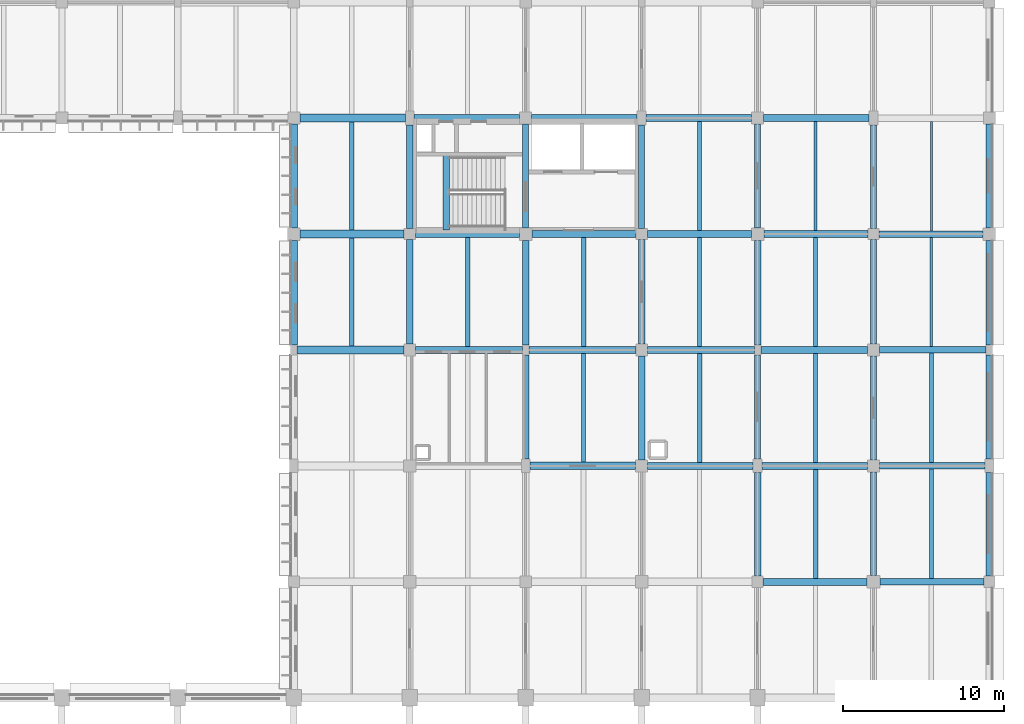
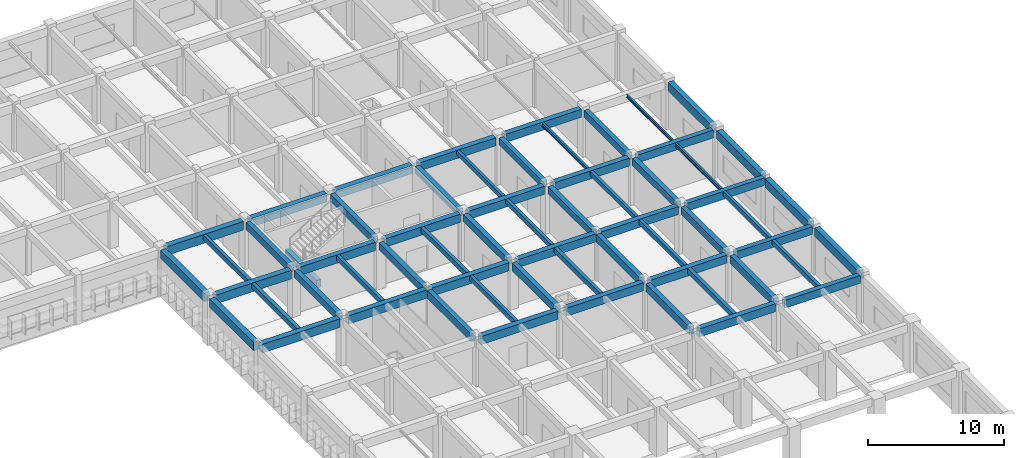
# One storey, part 12 of 61: 62 beams.
"""IFC4 building model written with IfcOpenShell, lengths in metres."""

import ifcopenshell
import ifcopenshell.guid

model = None  # the IFC model being written
_history = None  # IfcOwnerHistory: only IFC2X3 demands one
_inside = {}  # id of a spatial element -> (the spatial element, [elements in it])
_under = {}  # id of a project, library or spatial element -> (it, [spatial elements below it])
_declared = {}  # id of a project -> (the project, [libraries it declares])
_typed = {}  # id of a type object -> (the type object, [elements of that type])
_made_of = {}  # id of a material, layer set ... -> (it, [elements and type objects made of it])


def new_model(schema):
    """Start an empty IFC model of exactly this schema.

    Asked for "IFC4X3", IfcOpenShell would pick the latest addendum, in which some entities
    have other attributes; the version numbers below select the first issue.
    IFC2X3 requires an IfcOwnerHistory on every rooted entity: one is made here for all.
    """
    global model, _history
    if schema == "IFC4X3":
        model = ifcopenshell.file(schema_version=(4, 3, 0, 0))
    else:
        model = ifcopenshell.file(schema=schema)
    _inside.clear()
    _under.clear()
    _declared.clear()
    _typed.clear()
    _made_of.clear()
    _history = None
    if model.schema == "IFC2X3":
        org = make("IfcOrganization", Name="unknown")
        user = make(
            "IfcPersonAndOrganization",
            ThePerson=make("IfcPerson", FamilyName="unknown"),
            TheOrganization=org,
        )
        app = make(
            "IfcApplication",
            ApplicationDeveloper=org,
            Version="unknown",
            ApplicationFullName="unknown",
            ApplicationIdentifier="unknown",
        )
        _history = make(
            "IfcOwnerHistory",
            OwningUser=user,
            OwningApplication=app,
            ChangeAction="ADDED",
            CreationDate=0,
        )
    return model


def make(cls, **values):
    """One entity of the class cls with the attributes given. An attribute that is None is left unset."""
    return model.create_entity(
        cls, **{name: value for name, value in values.items() if value is not None}
    )


def rooted(cls, **values):
    """An entity with a GlobalId (a new one), such as an element, a storey or a relation."""
    return make(cls, GlobalId=ifcopenshell.guid.new(), OwnerHistory=_history, **values)


def si_unit(unit_type, name, prefix=None):
    """IfcSIUnit, for example si_unit("LENGTHUNIT", "METRE", prefix="MILLI")."""
    return make("IfcSIUnit", UnitType=unit_type, Prefix=prefix, Name=name)


def assignment(units):
    """IfcUnitAssignment: the units of a project."""
    return None if units is None else make("IfcUnitAssignment", Units=units)


def point(xyz):
    """IfcCartesianPoint."""
    return None if xyz is None else make("IfcCartesianPoint", Coordinates=xyz)


def direction(xyz):
    """IfcDirection."""
    return None if xyz is None else make("IfcDirection", DirectionRatios=xyz)


def frame(location, z_axis=None, x_axis=None):
    """IfcAxis2Placement3D, a coordinate frame: its origin and axes. An axis left out is left unset."""
    return make(
        "IfcAxis2Placement3D",
        Location=point(location),
        Axis=direction(z_axis),
        RefDirection=direction(x_axis),
    )


def frame_2d(location, x_axis=None):
    """IfcAxis2Placement2D, a coordinate frame in the plane: its origin and x axis."""
    return make(
        "IfcAxis2Placement2D", Location=point(location), RefDirection=direction(x_axis)
    )


def origin():
    """The frame at (0, 0, 0) with its axes left unset."""
    return frame((0.0, 0.0, 0.0))


def origin_2d():
    """The frame at (0, 0) in the plane with its x axis left unset."""
    return frame_2d((0.0, 0.0))


def place(relative_to, where):
    """IfcLocalPlacement: puts the frame where relative to a parent placement (None: the world)."""
    return make(
        "IfcLocalPlacement", PlacementRelTo=relative_to, RelativePlacement=where
    )


def context(
    kind, dimensions, precision=None, world=None, true_north=None, identifier=None
):
    """IfcGeometricRepresentationContext, for example the 3D "Model" context."""
    return make(
        "IfcGeometricRepresentationContext",
        ContextIdentifier=identifier,
        ContextType=kind,
        CoordinateSpaceDimension=dimensions,
        Precision=precision,
        WorldCoordinateSystem=world,
        TrueNorth=true_north,
    )


def subcontext(parent, identifier, kind, view, scale=None):
    """IfcGeometricRepresentationSubContext, for example "Body" below "Model"."""
    return make(
        "IfcGeometricRepresentationSubContext",
        ContextIdentifier=identifier,
        ContextType=kind,
        ParentContext=parent,
        TargetScale=scale,
        TargetView=view,
    )


def project(units=None, contexts=None):
    """IfcProject with its units and contexts."""
    return rooted(
        "IfcProject",
        Name="project",
        RepresentationContexts=contexts,
        UnitsInContext=assignment(units),
    )


def spatial(cls, under=None, at=None, **own):
    """A site, building, storey or space (cls), placed at a placement, below another one or the project."""
    s = rooted(cls, ObjectPlacement=at, **own)
    if under is not None:
        _under.setdefault(under.id(), (under, []))[1].append(s)
    return s


def profile(cls, at=None, kind="AREA", **sizes):
    """A parametric profile (cls). Its sizes go by their IFC names, for example OverallWidth=200.0."""
    return make(cls, ProfileType=kind, Position=at, **sizes)


def rectangle(**sizes):
    """IfcRectangleProfileDef."""
    return profile("IfcRectangleProfileDef", **sizes)


def i_section(**sizes):
    """IfcIShapeProfileDef."""
    return profile("IfcIShapeProfileDef", **sizes)


def extrude(swept, where, along, depth):
    """IfcExtrudedAreaSolid: the profile swept, set in the frame where, extruded along a direction by depth."""
    return make(
        "IfcExtrudedAreaSolid",
        SweptArea=swept,
        Position=where,
        ExtrudedDirection=direction(along),
        Depth=depth,
    )


def shape(context_of_items, identifier, shape_type, items):
    """IfcShapeRepresentation: the items that make up one representation, for example the "Body"."""
    return make(
        "IfcShapeRepresentation",
        ContextOfItems=context_of_items,
        RepresentationIdentifier=identifier,
        RepresentationType=shape_type,
        Items=items,
    )


def material(Name=None, Category=None):
    """IfcMaterial."""
    return make("IfcMaterial", Name=Name, Category=Category)


def material_profile(
    of_material, cross_section, Name=None, Category=None, Priority=None
):
    """IfcMaterialProfile: a cross section and its material."""
    return make(
        "IfcMaterialProfile",
        Name=Name,
        Material=of_material,
        Profile=cross_section,
        Priority=Priority,
        Category=Category,
    )


def profile_set(profiles, Name=None, composite=None):
    """IfcMaterialProfileSet."""
    return make(
        "IfcMaterialProfileSet",
        Name=Name,
        MaterialProfiles=profiles,
        CompositeProfile=composite,
    )


def made_of(thing, what):
    """Note that an element or type object is made of a material, layer set ...; save() writes the relation."""
    if what is not None:
        _made_of.setdefault(what.id(), (what, []))[1].append(thing)
    return thing


def type_object(cls, material=None, **own):
    """A type object (cls), such as IfcWallType, which elements share."""
    return made_of(rooted(cls, **own), material)


def element(
    cls,
    number,
    at=None,
    inside=None,
    cuts=None,
    type_object=None,
    material=None,
    context=None,
    identifier="Body",
    shape_type=None,
    held_by="IfcProductDefinitionShape",
    body=None,
    shapes=None,
    **own,
):
    """One element of the class cls, such as IfcWall. Its Tag is "e" and its number.

    at: its placement. inside: the storey or other place that contains it. cuts: it is an
    opening in that element (IfcRelVoidsElement). A single representation is given by context,
    identifier, shape_type and body (its items); several are given by shapes. held_by: the class
    of the entity that holds the representations. save() writes the other relations.
    """
    e = rooted(cls, Tag="e%d" % number, ObjectPlacement=at, **own)
    if body is not None:
        shapes = [shape(context, identifier, shape_type, body)]
    if shapes is not None:
        e.Representation = make(held_by, Representations=shapes)
    if inside is not None:
        _inside.setdefault(inside.id(), (inside, []))[1].append(e)
    if cuts is not None:
        rooted(
            "IfcRelVoidsElement", RelatingBuildingElement=cuts, RelatedOpeningElement=e
        )
    if type_object is not None:
        _typed.setdefault(type_object.id(), (type_object, []))[1].append(e)
    return made_of(e, material)


def aggregate(whole, parts):
    """IfcRelAggregates: a whole, such as a stair, and the parts it consists of."""
    return rooted("IfcRelAggregates", RelatingObject=whole, RelatedObjects=parts)


def save(model, path):
    """Write the relations noted so far, then the file.

    IfcRelAggregates (storeys below a building ...), IfcRelContainedInSpatialStructure (elements
    in a storey), IfcRelDefinesByType, IfcRelAssociatesMaterial and IfcRelDeclares: one each for
    every whole, place, type object, material and project.
    """
    for whole, parts in _under.values():
        aggregate(whole, parts)
    for where, things in _inside.values():
        rooted(
            "IfcRelContainedInSpatialStructure",
            RelatedElements=things,
            RelatingStructure=where,
        )
    for kind, things in _typed.values():
        rooted("IfcRelDefinesByType", RelatedObjects=things, RelatingType=kind)
    for what, things in _made_of.values():
        rooted("IfcRelAssociatesMaterial", RelatedObjects=things, RelatingMaterial=what)
    for by, libraries in _declared.values():
        rooted("IfcRelDeclares", RelatingContext=by, RelatedDefinitions=libraries)
    model.write(path)


model = new_model("IFC4")

# Units and contexts
model_context = context("Model", 3, precision=1e-05, world=origin(), true_north=direction((0.0, 1.0)))
body_context = subcontext(model_context, "Body", "Model", "MODEL_VIEW")
ifc_project = project(units=[si_unit("LENGTHUNIT", "METRE"), si_unit("AREAUNIT", "SQUARE_METRE"), si_unit("VOLUMEUNIT", "CUBIC_METRE"), si_unit("PLANEANGLEUNIT", "RADIAN"), si_unit("MASSUNIT", "GRAM", prefix="KILO")], contexts=[model_context])

# Site, building, storey
site_placement = place(None, origin())
site = spatial("IfcSite", under=ifc_project, at=site_placement, CompositionType="ELEMENT")
building_placement = place(site_placement, origin())
building = spatial("IfcBuilding", under=site, at=building_placement, Name="Thalmaran Polytechnic", CompositionType="ELEMENT")
storey_placement = place(building_placement, frame((0.0, 0.0, 9.89990234375)))
storey = spatial("IfcBuildingStorey", under=building, at=storey_placement, Name="L02", CompositionType="ELEMENT", Elevation=9.89990234375)

# Beams
ifc_material_1 = material(Name="Concrete C40/50", Category="concrete")
ifc_material_profile_1 = material_profile(ifc_material_1, rectangle(XDim=0.449951171875, YDim=0.75, at=origin_2d()), Name="RC 450x750")
ifc_profile_set_1 = profile_set([ifc_material_profile_1], Name="Concrete C40/50")
beam_type_1 = type_object("IfcBeamType", Name="BM-RC03", PredefinedType="BEAM", material=ifc_profile_set_1)
beam_1_placement = place(storey_placement, frame((137.159912109375, 79.199951171875, 3.85009765625), z_axis=(1.0, 0.0, 0.0), x_axis=(0.0, 1.0, 0.0)))
element("IfcBeam", 1, at=beam_1_placement, inside=storey, type_object=beam_type_1, Name="Grid Beam B03 L02 X(19,11)", PredefinedType="BEAM", context=body_context, shape_type="SweptSolid", body=[
    extrude(rectangle(XDim=0.449951171875, YDim=0.75, at=origin_2d()), origin(), (0.0, 0.0, 1.0), 6.64013671875),
])
beam_2_placement = place(storey_placement, frame((137.14990234375, 86.39990234375, 3.85009765625), z_axis=(1.0, 0.0, 0.0), x_axis=(0.0, 1.0, 0.0)))
element("IfcBeam", 2, at=beam_2_placement, inside=storey, type_object=beam_type_1, Name="Grid Beam B03 L02 X(19,12)", PredefinedType="BEAM", context=body_context, shape_type="SweptSolid", body=[
    extrude(rectangle(XDim=0.449951171875, YDim=0.75, at=origin_2d()), origin(), (0.0, 0.0, 1.0), 6.460205078125),
])
beam_3_placement = place(storey_placement, frame((137.074951171875, 93.60009765625, 3.85009765625), z_axis=(1.0, 0.0, 0.0), x_axis=(0.0, 1.0, 0.0)))
element("IfcBeam", 3, at=beam_3_placement, inside=storey, type_object=beam_type_1, Name="Grid Beam B03 L02 X(19,13)", PredefinedType="BEAM", context=body_context, shape_type="SweptSolid", body=[
    extrude(rectangle(XDim=0.449951171875, YDim=0.75, at=origin_2d()), origin(), (0.0, 0.0, 1.0), 6.550048828125),
])
ifc_material_profile_2 = material_profile(ifc_material_1, rectangle(XDim=0.449951171875, YDim=0.72509765625, at=origin_2d()), Name="RC 450x725")
ifc_profile_set_2 = profile_set([ifc_material_profile_2], Name="Concrete C40/50")
beam_type_2 = type_object("IfcBeamType", Name="BM-RC04", PredefinedType="BEAM", material=ifc_profile_set_2)
beam_4_placement = place(storey_placement, frame((151.574951171875, 72.0, 3.862548828125), z_axis=(1.0, 0.0, 0.0), x_axis=(0.0, 1.0, 0.0)))
element("IfcBeam", 4, at=beam_4_placement, inside=storey, type_object=beam_type_2, Name="Grid Beam B04 L02 X(21,10)", PredefinedType="BEAM", context=body_context, shape_type="SweptSolid", body=[
    extrude(rectangle(XDim=0.449951171875, YDim=0.72509765625, at=origin_2d()), origin(), (0.0, 0.0, 1.0), 6.550048828125),
])
beam_5_placement = place(storey_placement, frame((151.56005859375, 79.199951171875, 3.862548828125), z_axis=(1.0, 0.0, 0.0), x_axis=(0.0, 1.0, 0.0)))
element("IfcBeam", 5, at=beam_5_placement, inside=storey, type_object=beam_type_2, Name="Grid Beam B04 L02 X(21,11)", PredefinedType="BEAM", context=body_context, shape_type="SweptSolid", body=[
    extrude(rectangle(XDim=0.449951171875, YDim=0.72509765625, at=origin_2d()), origin(), (0.0, 0.0, 1.0), 6.639892578125),
])
beam_6_placement = place(storey_placement, frame((151.550048828125, 86.39990234375, 3.862548828125), z_axis=(1.0, 0.0, 0.0), x_axis=(0.0, 1.0, 0.0)))
element("IfcBeam", 6, at=beam_6_placement, inside=storey, type_object=beam_type_2, Name="Grid Beam B04 L02 X(21,12)", PredefinedType="BEAM", context=body_context, shape_type="SweptSolid", body=[
    extrude(rectangle(XDim=0.449951171875, YDim=0.72509765625, at=origin_2d()), origin(), (0.0, 0.0, 1.0), 6.4599609375),
])
beam_7_placement = place(storey_placement, frame((151.47509765625, 93.60009765625, 3.862548828125), z_axis=(1.0, 0.0, 0.0), x_axis=(0.0, 1.0, 0.0)))
element("IfcBeam", 7, at=beam_7_placement, inside=storey, type_object=beam_type_2, Name="Grid Beam B04 L02 X(21,13)", PredefinedType="BEAM", context=body_context, shape_type="SweptSolid", body=[
    extrude(rectangle(XDim=0.449951171875, YDim=0.72509765625, at=origin_2d()), origin(), (0.0, 0.0, 1.0), 6.5498046875),
])
ifc_material_profile_3 = material_profile(ifc_material_1, rectangle(XDim=0.39990234375, YDim=0.699951171875, at=origin_2d()), Name="RC 400x700")
ifc_profile_set_3 = profile_set([ifc_material_profile_3], Name="Concrete C40/50")
beam_type_3 = type_object("IfcBeamType", Name="BM-RC05", PredefinedType="BEAM", material=ifc_profile_set_3)
beam_8_placement = place(storey_placement, frame((165.989990234375, 64.800048828125, 3.864990234375), z_axis=(1.0, 0.0, 0.0), x_axis=(0.0, 1.0, 0.0)))
element("IfcBeam", 8, at=beam_8_placement, inside=storey, type_object=beam_type_3, Name="Grid Beam B05 L02 X(23,9)", PredefinedType="BEAM", context=body_context, shape_type="SweptSolid", body=[
    extrude(rectangle(XDim=0.39990234375, YDim=0.699951171875, at=origin_2d()), origin(), (0.0, 0.0, 1.0), 6.4599609375),
])
beam_9_placement = place(storey_placement, frame((165.97509765625, 72.0, 3.875), z_axis=(1.0, 0.0, 0.0), x_axis=(0.0, 1.0, 0.0)))
element("IfcBeam", 9, at=beam_9_placement, inside=storey, type_object=beam_type_3, Name="Grid Beam B05 L02 X(23,10)", PredefinedType="BEAM", context=body_context, shape_type="SweptSolid", body=[
    extrude(rectangle(XDim=0.39990234375, YDim=0.699951171875, at=origin_2d()), origin(), (0.0, 0.0, 1.0), 6.5498046875),
])
beam_10_placement = place(storey_placement, frame((165.9599609375, 79.199951171875, 3.875), z_axis=(1.0, 0.0, 0.0), x_axis=(0.0, 1.0, 0.0)))
element("IfcBeam", 10, at=beam_10_placement, inside=storey, type_object=beam_type_3, Name="Grid Beam B05 L02 X(23,11)", PredefinedType="BEAM", context=body_context, shape_type="SweptSolid", body=[
    extrude(rectangle(XDim=0.39990234375, YDim=0.699951171875, at=origin_2d()), origin(), (0.0, 0.0, 1.0), 6.64013671875),
])
beam_11_placement = place(storey_placement, frame((165.949951171875, 86.39990234375, 3.875), z_axis=(1.0, 0.0, 0.0), x_axis=(0.0, 1.0, 0.0)))
element("IfcBeam", 11, at=beam_11_placement, inside=storey, type_object=beam_type_3, Name="Grid Beam B05 L02 X(23,12)", PredefinedType="BEAM", context=body_context, shape_type="SweptSolid", body=[
    extrude(rectangle(XDim=0.39990234375, YDim=0.699951171875, at=origin_2d()), origin(), (0.0, 0.0, 1.0), 6.4599609375),
])
ifc_material_profile_4 = material_profile(ifc_material_1, rectangle(XDim=0.39990234375, YDim=0.6298828125, at=origin_2d()), Name="RC 400x630")
ifc_profile_set_4 = profile_set([ifc_material_profile_4], Name="Concrete C40/50")
beam_type_4 = type_object("IfcBeamType", Name="BM-RC07", PredefinedType="BEAM", material=ifc_profile_set_4)
beam_12_placement = place(storey_placement, frame((136.800048828125, 79.56005859375, 3.91015625), z_axis=(0.0, 1.0, 0.0), x_axis=(-1.0, 0.0, 0.0)))
element("IfcBeam", 12, at=beam_12_placement, inside=storey, type_object=beam_type_4, Name="Grid Beam B07 L02 Y(19,11)", PredefinedType="BEAM", context=body_context, shape_type="SweptSolid", body=[
    extrude(rectangle(XDim=0.39990234375, YDim=0.6298828125, at=origin_2d()), origin(), (0.0, 0.0, 1.0), 6.489990234375),
])
beam_13_placement = place(storey_placement, frame((144.0, 79.5, 3.91015625), z_axis=(0.0, 1.0, 0.0), x_axis=(-1.0, 0.0, 0.0)))
element("IfcBeam", 13, at=beam_13_placement, inside=storey, type_object=beam_type_4, Name="Grid Beam B07 L02 Y(20,11)", PredefinedType="BEAM", context=body_context, shape_type="SweptSolid", body=[
    extrude(rectangle(XDim=0.39990234375, YDim=0.6298828125, at=origin_2d()), origin(), (0.0, 0.0, 1.0), 6.510009765625),
])
beam_14_placement = place(storey_placement, frame((151.199951171875, 79.56005859375, 3.91015625), z_axis=(0.0, 1.0, 0.0), x_axis=(-1.0, 0.0, 0.0)))
element("IfcBeam", 14, at=beam_14_placement, inside=storey, type_object=beam_type_4, Name="Grid Beam B07 L02 Y(21,11)", PredefinedType="BEAM", context=body_context, shape_type="SweptSolid", body=[
    extrude(rectangle(XDim=0.39990234375, YDim=0.6298828125, at=origin_2d()), origin(), (0.0, 0.0, 1.0), 6.489990234375),
])
beam_15_placement = place(storey_placement, frame((158.39990234375, 79.5, 3.91015625), z_axis=(0.0, 1.0, 0.0), x_axis=(-1.0, 0.0, 0.0)))
element("IfcBeam", 15, at=beam_15_placement, inside=storey, type_object=beam_type_4, Name="Grid Beam B07 L02 Y(22,11)", PredefinedType="BEAM", context=body_context, shape_type="SweptSolid", body=[
    extrude(rectangle(XDim=0.39990234375, YDim=0.6298828125, at=origin_2d()), origin(), (0.0, 0.0, 1.0), 6.510009765625),
])
beam_16_placement = place(storey_placement, frame((165.60009765625, 79.56005859375, 3.91015625), z_axis=(0.0, 1.0, 0.0), x_axis=(-1.0, 0.0, 0.0)))
element("IfcBeam", 16, at=beam_16_placement, inside=storey, type_object=beam_type_4, Name="Grid Beam B07 L02 Y(23,11)", PredefinedType="BEAM", context=body_context, shape_type="SweptSolid", body=[
    extrude(rectangle(XDim=0.39990234375, YDim=0.6298828125, at=origin_2d()), origin(), (0.0, 0.0, 1.0), 6.489990234375),
])
ifc_material_profile_5 = material_profile(ifc_material_1, rectangle(XDim=0.389892578125, YDim=0.695068359375, at=origin_2d()), Name="RC 390x695")
ifc_profile_set_5 = profile_set([ifc_material_profile_5], Name="Concrete C40/50")
beam_type_5 = type_object("IfcBeamType", Name="BM-RC10", PredefinedType="BEAM", material=ifc_profile_set_5)
beam_17_placement = place(storey_placement, frame((144.0, 72.425048828125, 3.877685546875), z_axis=(0.0, 1.0, 0.0), x_axis=(-1.0, 0.0, 0.0)))
element("IfcBeam", 17, at=beam_17_placement, inside=storey, type_object=beam_type_5, Name="Grid Beam B10 L02 Y(20,10)", PredefinedType="BEAM", context=body_context, shape_type="SweptSolid", body=[
    extrude(rectangle(XDim=0.389892578125, YDim=0.695068359375, at=origin_2d()), origin(), (0.0, 0.0, 1.0), 6.474853515625),
])
beam_18_placement = place(storey_placement, frame((151.199951171875, 72.375, 3.877685546875), z_axis=(0.0, 1.0, 0.0), x_axis=(-1.0, 0.0, 0.0)))
element("IfcBeam", 18, at=beam_18_placement, inside=storey, type_object=beam_type_5, Name="Grid Beam B10 L02 Y(21,10)", PredefinedType="BEAM", context=body_context, shape_type="SweptSolid", body=[
    extrude(rectangle(XDim=0.389892578125, YDim=0.695068359375, at=origin_2d()), origin(), (0.0, 0.0, 1.0), 6.465087890625),
])
beam_19_placement = place(storey_placement, frame((158.39990234375, 72.425048828125, 3.877685546875), z_axis=(0.0, 1.0, 0.0), x_axis=(-1.0, 0.0, 0.0)))
element("IfcBeam", 19, at=beam_19_placement, inside=storey, type_object=beam_type_5, Name="Grid Beam B10 L02 Y(22,10)", PredefinedType="BEAM", context=body_context, shape_type="SweptSolid", body=[
    extrude(rectangle(XDim=0.389892578125, YDim=0.695068359375, at=origin_2d()), origin(), (0.0, 0.0, 1.0), 6.474853515625),
])
beam_20_placement = place(storey_placement, frame((165.60009765625, 72.375, 3.877685546875), z_axis=(0.0, 1.0, 0.0), x_axis=(-1.0, 0.0, 0.0)))
element("IfcBeam", 20, at=beam_20_placement, inside=storey, type_object=beam_type_5, Name="Grid Beam B10 L02 Y(23,10)", PredefinedType="BEAM", context=body_context, shape_type="SweptSolid", body=[
    extrude(rectangle(XDim=0.389892578125, YDim=0.695068359375, at=origin_2d()), origin(), (0.0, 0.0, 1.0), 6.465087890625),
])
beam_21_placement = place(storey_placement, frame((139.06005859375, 86.639892578125, 1.7900390625), z_axis=(0.0, 1.0, 0.0), x_axis=(-1.0, 0.0, 0.0)))
element("IfcBeam", 21, at=beam_21_placement, inside=storey, type_object=beam_type_5, Name="ST5 L02 Half-Landing Trimmer Beam", PredefinedType="BEAM", context=body_context, shape_type="SweptSolid", body=[
    extrude(rectangle(XDim=0.389892578125, YDim=0.695068359375, at=origin_2d()), origin(), (0.0, 0.0, 1.0), 4.7001953125),
])
ifc_material_profile_6 = material_profile(ifc_material_1, rectangle(XDim=0.300048828125, YDim=0.449951171875, at=origin_2d()), Name="RC 300x450")
ifc_profile_set_6 = profile_set([ifc_material_profile_6], Name="Concrete C40/50")
beam_type_6 = type_object("IfcBeamType", Name="BM-RC12", PredefinedType="JOIST", material=ifc_profile_set_6)
beam_22_placement = place(storey_placement, frame((133.199951171875, 79.43994140625, 4.0), z_axis=(0.0, 1.0, 0.0), x_axis=(-1.0, 0.0, 0.0)))
element("IfcBeam", 22, at=beam_22_placement, inside=storey, type_object=beam_type_6, Name="Secondary Floor Rib RB02 L02 (18,11)", PredefinedType="JOIST", context=body_context, shape_type="SweptSolid", body=[
    extrude(rectangle(XDim=0.300048828125, YDim=0.449951171875, at=origin_2d()), origin(), (0.0, 0.0, 1.0), 6.719970703125),
])
ifc_material_profile_7 = material_profile(ifc_material_1, rectangle(XDim=0.280029296875, YDim=0.449951171875, at=origin_2d()), Name="RC 280x450")
ifc_profile_set_7 = profile_set([ifc_material_profile_7], Name="Concrete C40/50")
beam_type_7 = type_object("IfcBeamType", Name="BM-RC13", PredefinedType="JOIST", material=ifc_profile_set_7)
beam_23_placement = place(storey_placement, frame((147.60009765625, 79.429931640625, 4.0), z_axis=(0.0, 1.0, 0.0), x_axis=(-1.0, 0.0, 0.0)))
element("IfcBeam", 23, at=beam_23_placement, inside=storey, type_object=beam_type_7, Name="Secondary Floor Rib RB03 L02 (20,11)", PredefinedType="JOIST", context=body_context, shape_type="SweptSolid", body=[
    extrude(rectangle(XDim=0.280029296875, YDim=0.449951171875, at=origin_2d()), origin(), (0.0, 0.0, 1.0), 6.739990234375),
])
beam_24_placement = place(storey_placement, frame((154.800048828125, 72.22509765625, 4.0), z_axis=(0.0, 1.0, 0.0), x_axis=(-1.0, 0.0, 0.0)))
element("IfcBeam", 24, at=beam_24_placement, inside=storey, type_object=beam_type_7, Name="Secondary Floor Rib RB03 L02 (21,10)", PredefinedType="JOIST", context=body_context, shape_type="SweptSolid", body=[
    extrude(rectangle(XDim=0.280029296875, YDim=0.449951171875, at=origin_2d()), origin(), (0.0, 0.0, 1.0), 6.75),
])
beam_25_placement = place(storey_placement, frame((162.0, 65.02001953125, 4.0), z_axis=(0.0, 1.0, 0.0), x_axis=(-1.0, 0.0, 0.0)))
element("IfcBeam", 25, at=beam_25_placement, inside=storey, type_object=beam_type_7, Name="Secondary Floor Rib RB03 L02 (22,9)", PredefinedType="JOIST", context=body_context, shape_type="SweptSolid", body=[
    extrude(rectangle(XDim=0.280029296875, YDim=0.449951171875, at=origin_2d()), origin(), (0.0, 0.0, 1.0), 6.760009765625),
])
ifc_material_2 = material(Name="Steel S355", Category="steel")
ifc_material_profile_8 = material_profile(ifc_material_2, i_section(OverallWidth=0.159912109375, OverallDepth=0.330078125, WebThickness=0.007568359375, FlangeThickness=0.011474609375, at=origin_2d()), Name="IPE 330")
ifc_profile_set_8 = profile_set([ifc_material_profile_8], Name="Steel S355")
beam_type_8 = type_object("IfcBeamType", Name="BM-SJ02", PredefinedType="JOIST", material=ifc_profile_set_8)
beam_26_placement = place(storey_placement, frame((162.0, 86.6201171875, 4.06005859375), z_axis=(0.0, 1.0, 0.0), x_axis=(-1.0, 0.0, 0.0)))
element("IfcBeam", 26, at=beam_26_placement, inside=storey, type_object=beam_type_8, Name="Secondary Floor Rib SJ02 L02 (22,12)", PredefinedType="JOIST", context=body_context, shape_type="SweptSolid", body=[
    extrude(i_section(OverallWidth=0.159912109375, OverallDepth=0.330078125, WebThickness=0.007568359375, FlangeThickness=0.011474609375, at=origin_2d()), origin(), (0.0, 0.0, 1.0), 6.759765625),
])
beam_27_placement = place(storey_placement, frame((169.199951171875, 79.39990234375, 4.06005859375), z_axis=(0.0, 1.0, 0.0), x_axis=(-1.0, 0.0, 0.0)))
element("IfcBeam", 27, at=beam_27_placement, inside=storey, type_object=beam_type_8, Name="Secondary Floor Rib SJ02 L02 (23,11)", PredefinedType="JOIST", context=body_context, shape_type="SweptSolid", body=[
    extrude(i_section(OverallWidth=0.159912109375, OverallDepth=0.330078125, WebThickness=0.007568359375, FlangeThickness=0.011474609375, at=origin_2d()), origin(), (0.0, 0.0, 1.0), 6.800048828125),
])
ifc_material_profile_9 = material_profile(ifc_material_2, i_section(OverallWidth=0.135009765625, OverallDepth=0.27001953125, WebThickness=0.006591796875, FlangeThickness=0.01025390625, at=origin_2d()), Name="IPE 270")
ifc_profile_set_9 = profile_set([ifc_material_profile_9], Name="Steel S355")
beam_type_9 = type_object("IfcBeamType", Name="BM-SJ03", PredefinedType="JOIST", material=ifc_profile_set_9)
beam_28_placement = place(storey_placement, frame((169.199951171875, 86.60009765625, 4.090087890625), z_axis=(0.0, 1.0, 0.0), x_axis=(-1.0, 0.0, 0.0)))
element("IfcBeam", 28, at=beam_28_placement, inside=storey, type_object=beam_type_9, Name="Secondary Floor Rib SJ03 L02 (23,12)", PredefinedType="JOIST", context=body_context, shape_type="SweptSolid", body=[
    extrude(i_section(OverallWidth=0.135009765625, OverallDepth=0.27001953125, WebThickness=0.006591796875, FlangeThickness=0.01025390625, at=origin_2d()), origin(), (0.0, 0.0, 1.0), 6.7998046875),
])
ifc_material_profile_10 = material_profile(ifc_material_1, rectangle(XDim=0.449951171875, YDim=0.7548828125, at=origin_2d()), Name="RC 450x755")
ifc_profile_set_10 = profile_set([ifc_material_profile_10], Name="Concrete C40/50")
beam_type_10 = type_object("IfcBeamType", Name="BM-SP02", PredefinedType="SPANDREL", material=ifc_profile_set_10)
beam_29_placement = place(storey_placement, frame((129.60009765625, 79.5, 3.84765625), z_axis=(0.0, 1.0, 0.0), x_axis=(-1.0, 0.0, 0.0)))
element("IfcBeam", 29, at=beam_29_placement, inside=storey, type_object=beam_type_10, Name="Grid Beam SP02 L02 Y(18,11)", PredefinedType="SPANDREL", context=body_context, shape_type="SweptSolid", body=[
    extrude(rectangle(XDim=0.449951171875, YDim=0.7548828125, at=origin_2d()), origin(), (0.0, 0.0, 1.0), 6.510009765625),
])
beam_30_placement = place(storey_placement, frame((129.60009765625, 86.7900390625, 3.84765625), z_axis=(0.0, 1.0, 0.0), x_axis=(-1.0, 0.0, 0.0)))
element("IfcBeam", 30, at=beam_30_placement, inside=storey, type_object=beam_type_10, Name="Grid Beam SP02 L02 Y(18,12)", PredefinedType="SPANDREL", context=body_context, shape_type="SweptSolid", body=[
    extrude(rectangle(XDim=0.449951171875, YDim=0.7548828125, at=origin_2d()), origin(), (0.0, 0.0, 1.0), 6.43505859375),
])
beam_31_placement = place(storey_placement, frame((172.800048828125, 65.14990234375, 3.84765625), z_axis=(0.0, 1.0, 0.0), x_axis=(-1.0, 0.0, 0.0)))
element("IfcBeam", 31, at=beam_31_placement, inside=storey, type_object=beam_type_10, Name="Grid Beam SP02 L02 Y(24,9)", PredefinedType="SPANDREL", context=body_context, shape_type="SweptSolid", body=[
    extrude(rectangle(XDim=0.449951171875, YDim=0.7548828125, at=origin_2d()), origin(), (0.0, 0.0, 1.0), 6.425048828125),
])
beam_32_placement = place(storey_placement, frame((172.800048828125, 72.425048828125, 3.84765625), z_axis=(0.0, 1.0, 0.0), x_axis=(-1.0, 0.0, 0.0)))
element("IfcBeam", 32, at=beam_32_placement, inside=storey, type_object=beam_type_10, Name="Grid Beam SP02 L02 Y(24,10)", PredefinedType="SPANDREL", context=body_context, shape_type="SweptSolid", body=[
    extrude(rectangle(XDim=0.449951171875, YDim=0.7548828125, at=origin_2d()), origin(), (0.0, 0.0, 1.0), 6.474853515625),
])
beam_33_placement = place(storey_placement, frame((172.800048828125, 79.5, 3.84765625), z_axis=(0.0, 1.0, 0.0), x_axis=(-1.0, 0.0, 0.0)))
element("IfcBeam", 33, at=beam_33_placement, inside=storey, type_object=beam_type_10, Name="Grid Beam SP02 L02 Y(24,11)", PredefinedType="SPANDREL", context=body_context, shape_type="SweptSolid", body=[
    extrude(rectangle(XDim=0.449951171875, YDim=0.7548828125, at=origin_2d()), origin(), (0.0, 0.0, 1.0), 6.510009765625),
])
beam_34_placement = place(storey_placement, frame((172.800048828125, 86.7900390625, 3.84765625), z_axis=(0.0, 1.0, 0.0), x_axis=(-1.0, 0.0, 0.0)))
element("IfcBeam", 34, at=beam_34_placement, inside=storey, type_object=beam_type_10, Name="Grid Beam SP02 L02 Y(24,12)", PredefinedType="SPANDREL", context=body_context, shape_type="SweptSolid", body=[
    extrude(rectangle(XDim=0.449951171875, YDim=0.7548828125, at=origin_2d()), origin(), (0.0, 0.0, 1.0), 6.43505859375),
])
ifc_material_profile_11 = material_profile(ifc_material_1, rectangle(XDim=0.47998046875, YDim=0.780029296875, at=origin_2d()), Name="RC 480x780")
ifc_profile_set_11 = profile_set([ifc_material_profile_11], Name="Concrete C40/50")
beam_type_11 = type_object("IfcBeamType", Name="BM-ZB01", PredefinedType="BEAM", material=ifc_profile_set_11)
beam_35_placement = place(storey_placement, frame((129.800048828125, 79.199951171875, 3.835205078125), z_axis=(1.0, 0.0, 0.0), x_axis=(0.0, 1.0, 0.0)))
element("IfcBeam", 35, at=beam_35_placement, inside=storey, type_object=beam_type_11, Name="Grid Beam ZB01 L02 X(18,11)", PredefinedType="BEAM", context=body_context, shape_type="SweptSolid", body=[
    extrude(rectangle(XDim=0.47998046875, YDim=0.780029296875, at=origin_2d()), origin(), (0.0, 0.0, 1.0), 6.639892578125),
])
beam_36_placement = place(storey_placement, frame((129.989990234375, 86.39990234375, 3.835205078125), z_axis=(1.0, 0.0, 0.0), x_axis=(0.0, 1.0, 0.0)))
element("IfcBeam", 36, at=beam_36_placement, inside=storey, type_object=beam_type_11, Name="Grid Beam ZB01 L02 X(18,12)", PredefinedType="BEAM", context=body_context, shape_type="SweptSolid", body=[
    extrude(rectangle(XDim=0.47998046875, YDim=0.780029296875, at=origin_2d()), origin(), (0.0, 0.0, 1.0), 6.4599609375),
])
beam_37_placement = place(storey_placement, frame((129.97509765625, 93.60009765625, 3.835205078125), z_axis=(1.0, 0.0, 0.0), x_axis=(0.0, 1.0, 0.0)))
element("IfcBeam", 37, at=beam_37_placement, inside=storey, type_object=beam_type_11, Name="Grid Beam ZB01 L02 X(18,13)", PredefinedType="BEAM", context=body_context, shape_type="SweptSolid", body=[
    extrude(rectangle(XDim=0.47998046875, YDim=0.780029296875, at=origin_2d()), origin(), (0.0, 0.0, 1.0), 6.5498046875),
])
ifc_material_profile_12 = material_profile(ifc_material_1, rectangle(XDim=0.4599609375, YDim=0.739990234375, at=origin_2d()), Name="RC 460x740")
ifc_profile_set_12 = profile_set([ifc_material_profile_12], Name="Concrete C40/50")
beam_type_12 = type_object("IfcBeamType", Name="BM-ZB02", PredefinedType="BEAM", material=ifc_profile_set_12)
beam_38_placement = place(storey_placement, frame((144.27490234375, 72.0, 3.85498046875), z_axis=(1.0, 0.0, 0.0), x_axis=(0.0, 1.0, 0.0)))
element("IfcBeam", 38, at=beam_38_placement, inside=storey, type_object=beam_type_12, Name="Grid Beam ZB02 L02 X(20,10)", PredefinedType="BEAM", context=body_context, shape_type="SweptSolid", body=[
    extrude(rectangle(XDim=0.4599609375, YDim=0.739990234375, at=origin_2d()), origin(), (0.0, 0.0, 1.0), 6.550048828125),
])
beam_39_placement = place(storey_placement, frame((144.199951171875, 79.199951171875, 3.85498046875), z_axis=(1.0, 0.0, 0.0), x_axis=(0.0, 1.0, 0.0)))
element("IfcBeam", 39, at=beam_39_placement, inside=storey, type_object=beam_type_12, Name="Grid Beam ZB02 L02 X(20,11)", PredefinedType="BEAM", context=body_context, shape_type="SweptSolid", body=[
    extrude(rectangle(XDim=0.4599609375, YDim=0.739990234375, at=origin_2d()), origin(), (0.0, 0.0, 1.0), 6.64013671875),
])
beam_40_placement = place(storey_placement, frame((144.389892578125, 86.39990234375, 3.85498046875), z_axis=(1.0, 0.0, 0.0), x_axis=(0.0, 1.0, 0.0)))
element("IfcBeam", 40, at=beam_40_placement, inside=storey, type_object=beam_type_12, Name="Grid Beam ZB02 L02 X(20,12)", PredefinedType="BEAM", context=body_context, shape_type="SweptSolid", body=[
    extrude(rectangle(XDim=0.4599609375, YDim=0.739990234375, at=origin_2d()), origin(), (0.0, 0.0, 1.0), 6.460205078125),
])
beam_41_placement = place(storey_placement, frame((144.375, 93.60009765625, 3.85498046875), z_axis=(1.0, 0.0, 0.0), x_axis=(0.0, 1.0, 0.0)))
element("IfcBeam", 41, at=beam_41_placement, inside=storey, type_object=beam_type_12, Name="Grid Beam ZB02 L02 X(20,13)", PredefinedType="BEAM", context=body_context, shape_type="SweptSolid", body=[
    extrude(rectangle(XDim=0.4599609375, YDim=0.739990234375, at=origin_2d()), origin(), (0.0, 0.0, 1.0), 6.550048828125),
])
ifc_material_profile_13 = material_profile(ifc_material_1, rectangle(XDim=0.43994140625, YDim=0.719970703125, at=origin_2d()), Name="RC 440x720")
ifc_profile_set_13 = profile_set([ifc_material_profile_13], Name="Concrete C40/50")
beam_type_13 = type_object("IfcBeamType", Name="BM-ZB03", PredefinedType="BEAM", material=ifc_profile_set_13)
beam_42_placement = place(storey_placement, frame((158.75, 64.800048828125, 3.85498046875), z_axis=(1.0, 0.0, 0.0), x_axis=(0.0, 1.0, 0.0)))
element("IfcBeam", 42, at=beam_42_placement, inside=storey, type_object=beam_type_13, Name="Grid Beam ZB03 L02 X(22,9)", PredefinedType="BEAM", context=body_context, shape_type="SweptSolid", body=[
    extrude(rectangle(XDim=0.43994140625, YDim=0.719970703125, at=origin_2d()), origin(), (0.0, 0.0, 1.0), 6.4599609375),
])
beam_43_placement = place(storey_placement, frame((158.675048828125, 72.0, 3.864990234375), z_axis=(1.0, 0.0, 0.0), x_axis=(0.0, 1.0, 0.0)))
element("IfcBeam", 43, at=beam_43_placement, inside=storey, type_object=beam_type_13, Name="Grid Beam ZB03 L02 X(22,10)", PredefinedType="BEAM", context=body_context, shape_type="SweptSolid", body=[
    extrude(rectangle(XDim=0.43994140625, YDim=0.719970703125, at=origin_2d()), origin(), (0.0, 0.0, 1.0), 6.550048828125),
])
beam_44_placement = place(storey_placement, frame((158.60009765625, 79.199951171875, 3.864990234375), z_axis=(1.0, 0.0, 0.0), x_axis=(0.0, 1.0, 0.0)))
element("IfcBeam", 44, at=beam_44_placement, inside=storey, type_object=beam_type_13, Name="Grid Beam ZB03 L02 X(22,11)", PredefinedType="BEAM", context=body_context, shape_type="SweptSolid", body=[
    extrude(rectangle(XDim=0.43994140625, YDim=0.719970703125, at=origin_2d()), origin(), (0.0, 0.0, 1.0), 6.639892578125),
])
beam_45_placement = place(storey_placement, frame((158.7900390625, 86.39990234375, 3.864990234375), z_axis=(1.0, 0.0, 0.0), x_axis=(0.0, 1.0, 0.0)))
element("IfcBeam", 45, at=beam_45_placement, inside=storey, type_object=beam_type_13, Name="Grid Beam ZB03 L02 X(22,12)", PredefinedType="BEAM", context=body_context, shape_type="SweptSolid", body=[
    extrude(rectangle(XDim=0.43994140625, YDim=0.719970703125, at=origin_2d()), origin(), (0.0, 0.0, 1.0), 6.4599609375),
])
beam_46_placement = place(storey_placement, frame((158.77490234375, 93.60009765625, 3.864990234375), z_axis=(1.0, 0.0, 0.0), x_axis=(0.0, 1.0, 0.0)))
element("IfcBeam", 46, at=beam_46_placement, inside=storey, type_object=beam_type_13, Name="Grid Beam ZB03 L02 X(22,13)", PredefinedType="BEAM", context=body_context, shape_type="SweptSolid", body=[
    extrude(rectangle(XDim=0.43994140625, YDim=0.719970703125, at=origin_2d()), origin(), (0.0, 0.0, 1.0), 6.550048828125),
])
ifc_material_profile_14 = material_profile(ifc_material_1, rectangle(XDim=0.3798828125, YDim=0.635009765625, at=origin_2d()), Name="RC 380x635")
ifc_profile_set_14 = profile_set([ifc_material_profile_14], Name="Concrete C40/50")
beam_type_14 = type_object("IfcBeamType", Name="BM-ZB06", PredefinedType="BEAM", material=ifc_profile_set_14)
beam_47_placement = place(storey_placement, frame((136.800048828125, 86.75, 3.90771484375), z_axis=(0.0, 1.0, 0.0), x_axis=(-1.0, 0.0, 0.0)))
element("IfcBeam", 47, at=beam_47_placement, inside=storey, type_object=beam_type_14, Name="Grid Beam ZB06 L02 Y(19,12)", PredefinedType="BEAM", context=body_context, shape_type="SweptSolid", body=[
    extrude(rectangle(XDim=0.3798828125, YDim=0.635009765625, at=origin_2d()), origin(), (0.0, 0.0, 1.0), 6.425048828125),
])
beam_48_placement = place(storey_placement, frame((144.0, 86.7900390625, 3.90771484375), z_axis=(0.0, 1.0, 0.0), x_axis=(-1.0, 0.0, 0.0)))
element("IfcBeam", 48, at=beam_48_placement, inside=storey, type_object=beam_type_14, Name="Grid Beam ZB06 L02 Y(20,12)", PredefinedType="BEAM", context=body_context, shape_type="SweptSolid", body=[
    extrude(rectangle(XDim=0.3798828125, YDim=0.635009765625, at=origin_2d()), origin(), (0.0, 0.0, 1.0), 6.43505859375),
])
beam_49_placement = place(storey_placement, frame((151.199951171875, 86.75, 3.90771484375), z_axis=(0.0, 1.0, 0.0), x_axis=(-1.0, 0.0, 0.0)))
element("IfcBeam", 49, at=beam_49_placement, inside=storey, type_object=beam_type_14, Name="Grid Beam ZB06 L02 Y(21,12)", PredefinedType="BEAM", context=body_context, shape_type="SweptSolid", body=[
    extrude(rectangle(XDim=0.3798828125, YDim=0.635009765625, at=origin_2d()), origin(), (0.0, 0.0, 1.0), 6.425048828125),
])
beam_50_placement = place(storey_placement, frame((158.39990234375, 86.7900390625, 3.90771484375), z_axis=(0.0, 1.0, 0.0), x_axis=(-1.0, 0.0, 0.0)))
element("IfcBeam", 50, at=beam_50_placement, inside=storey, type_object=beam_type_14, Name="Grid Beam ZB06 L02 Y(22,12)", PredefinedType="BEAM", context=body_context, shape_type="SweptSolid", body=[
    extrude(rectangle(XDim=0.3798828125, YDim=0.635009765625, at=origin_2d()), origin(), (0.0, 0.0, 1.0), 6.43505859375),
])
beam_51_placement = place(storey_placement, frame((165.60009765625, 86.75, 3.90771484375), z_axis=(0.0, 1.0, 0.0), x_axis=(-1.0, 0.0, 0.0)))
element("IfcBeam", 51, at=beam_51_placement, inside=storey, type_object=beam_type_14, Name="Grid Beam ZB06 L02 Y(23,12)", PredefinedType="BEAM", context=body_context, shape_type="SweptSolid", body=[
    extrude(rectangle(XDim=0.3798828125, YDim=0.635009765625, at=origin_2d()), origin(), (0.0, 0.0, 1.0), 6.425048828125),
])
ifc_material_profile_15 = material_profile(ifc_material_1, rectangle(XDim=0.39990234375, YDim=0.695068359375, at=origin_2d()), Name="RC 400x695")
ifc_profile_set_15 = profile_set([ifc_material_profile_15], Name="Concrete C40/50")
beam_type_15 = type_object("IfcBeamType", Name="BM-ZB08", PredefinedType="BEAM", material=ifc_profile_set_15)
beam_52_placement = place(storey_placement, frame((158.39990234375, 65.14990234375, 3.877685546875), z_axis=(0.0, 1.0, 0.0), x_axis=(-1.0, 0.0, 0.0)))
element("IfcBeam", 52, at=beam_52_placement, inside=storey, type_object=beam_type_15, Name="Grid Beam ZB08 L02 Y(22,9)", PredefinedType="BEAM", context=body_context, shape_type="SweptSolid", body=[
    extrude(rectangle(XDim=0.39990234375, YDim=0.695068359375, at=origin_2d()), origin(), (0.0, 0.0, 1.0), 6.425048828125),
])
beam_53_placement = place(storey_placement, frame((165.60009765625, 65.18994140625, 3.877685546875), z_axis=(0.0, 1.0, 0.0), x_axis=(-1.0, 0.0, 0.0)))
element("IfcBeam", 53, at=beam_53_placement, inside=storey, type_object=beam_type_15, Name="Grid Beam ZB08 L02 Y(23,9)", PredefinedType="BEAM", context=body_context, shape_type="SweptSolid", body=[
    extrude(rectangle(XDim=0.39990234375, YDim=0.695068359375, at=origin_2d()), origin(), (0.0, 0.0, 1.0), 6.43505859375),
])
ifc_material_profile_16 = material_profile(ifc_material_1, rectangle(XDim=0.260009765625, YDim=0.43994140625, at=origin_2d()), Name="RC 260x440")
ifc_profile_set_16 = profile_set([ifc_material_profile_16], Name="Concrete C40/50")
beam_type_16 = type_object("IfcBeamType", Name="BM-ZJ02", PredefinedType="JOIST", material=ifc_profile_set_16)
beam_54_placement = place(storey_placement, frame((133.199951171875, 86.639892578125, 4.005126953125), z_axis=(0.0, 1.0, 0.0), x_axis=(-1.0, 0.0, 0.0)))
element("IfcBeam", 54, at=beam_54_placement, inside=storey, type_object=beam_type_16, Name="Secondary Floor Rib ZJ02 L02 (18,12)", PredefinedType="JOIST", context=body_context, shape_type="SweptSolid", body=[
    extrude(rectangle(XDim=0.260009765625, YDim=0.43994140625, at=origin_2d()), origin(), (0.0, 0.0, 1.0), 6.72021484375),
])
beam_55_placement = place(storey_placement, frame((140.39990234375, 79.425048828125, 4.005126953125), z_axis=(0.0, 1.0, 0.0), x_axis=(-1.0, 0.0, 0.0)))
element("IfcBeam", 55, at=beam_55_placement, inside=storey, type_object=beam_type_16, Name="Secondary Floor Rib ZJ02 L02 (19,11)", PredefinedType="JOIST", context=body_context, shape_type="SweptSolid", body=[
    extrude(rectangle(XDim=0.260009765625, YDim=0.43994140625, at=origin_2d()), origin(), (0.0, 0.0, 1.0), 6.75),
])
beam_56_placement = place(storey_placement, frame((147.60009765625, 72.22998046875, 4.005126953125), z_axis=(0.0, 1.0, 0.0), x_axis=(-1.0, 0.0, 0.0)))
element("IfcBeam", 56, at=beam_56_placement, inside=storey, type_object=beam_type_16, Name="Secondary Floor Rib ZJ02 L02 (20,10)", PredefinedType="JOIST", context=body_context, shape_type="SweptSolid", body=[
    extrude(rectangle(XDim=0.260009765625, YDim=0.43994140625, at=origin_2d()), origin(), (0.0, 0.0, 1.0), 6.739990234375),
])
ifc_material_profile_17 = material_profile(ifc_material_1, rectangle(XDim=0.25, YDim=0.419921875, at=origin_2d()), Name="RC 250x420")
ifc_profile_set_17 = profile_set([ifc_material_profile_17], Name="Concrete C40/50")
beam_type_17 = type_object("IfcBeamType", Name="BM-ZJ03", PredefinedType="JOIST", material=ifc_profile_set_17)
beam_57_placement = place(storey_placement, frame((154.800048828125, 79.425048828125, 4.01513671875), z_axis=(0.0, 1.0, 0.0), x_axis=(-1.0, 0.0, 0.0)))
element("IfcBeam", 57, at=beam_57_placement, inside=storey, type_object=beam_type_17, Name="Secondary Floor Rib ZJ03 L02 (21,11)", PredefinedType="JOIST", context=body_context, shape_type="SweptSolid", body=[
    extrude(rectangle(XDim=0.25, YDim=0.419921875, at=origin_2d()), origin(), (0.0, 0.0, 1.0), 6.75),
])
beam_58_placement = place(storey_placement, frame((162.0, 72.219970703125, 4.01513671875), z_axis=(0.0, 1.0, 0.0), x_axis=(-1.0, 0.0, 0.0)))
element("IfcBeam", 58, at=beam_58_placement, inside=storey, type_object=beam_type_17, Name="Secondary Floor Rib ZJ03 L02 (22,10)", PredefinedType="JOIST", context=body_context, shape_type="SweptSolid", body=[
    extrude(rectangle(XDim=0.25, YDim=0.419921875, at=origin_2d()), origin(), (0.0, 0.0, 1.0), 6.760009765625),
])
beam_59_placement = place(storey_placement, frame((169.199951171875, 65.0, 4.01513671875), z_axis=(0.0, 1.0, 0.0), x_axis=(-1.0, 0.0, 0.0)))
element("IfcBeam", 59, at=beam_59_placement, inside=storey, type_object=beam_type_17, Name="Secondary Floor Rib ZJ03 L02 (23,9)", PredefinedType="JOIST", context=body_context, shape_type="SweptSolid", body=[
    extrude(rectangle(XDim=0.25, YDim=0.419921875, at=origin_2d()), origin(), (0.0, 0.0, 1.0), 6.800048828125),
])
ifc_material_profile_18 = material_profile(ifc_material_1, rectangle(XDim=0.239990234375, YDim=0.39990234375, at=origin_2d()), Name="RC 240x400")
ifc_profile_set_18 = profile_set([ifc_material_profile_18], Name="Concrete C40/50")
beam_type_18 = type_object("IfcBeamType", Name="BM-ZJ04", PredefinedType="JOIST", material=ifc_profile_set_18)
beam_60_placement = place(storey_placement, frame((154.800048828125, 86.625, 4.025146484375), z_axis=(0.0, 1.0, 0.0), x_axis=(-1.0, 0.0, 0.0)))
element("IfcBeam", 60, at=beam_60_placement, inside=storey, type_object=beam_type_18, Name="Secondary Floor Rib ZJ04 L02 (21,12)", PredefinedType="JOIST", context=body_context, shape_type="SweptSolid", body=[
    extrude(rectangle(XDim=0.239990234375, YDim=0.39990234375, at=origin_2d()), origin(), (0.0, 0.0, 1.0), 6.75),
])
beam_61_placement = place(storey_placement, frame((162.0, 79.419921875, 4.025146484375), z_axis=(0.0, 1.0, 0.0), x_axis=(-1.0, 0.0, 0.0)))
element("IfcBeam", 61, at=beam_61_placement, inside=storey, type_object=beam_type_18, Name="Secondary Floor Rib ZJ04 L02 (22,11)", PredefinedType="JOIST", context=body_context, shape_type="SweptSolid", body=[
    extrude(rectangle(XDim=0.239990234375, YDim=0.39990234375, at=origin_2d()), origin(), (0.0, 0.0, 1.0), 6.760009765625),
])
beam_62_placement = place(storey_placement, frame((169.199951171875, 72.199951171875, 4.025146484375), z_axis=(0.0, 1.0, 0.0), x_axis=(-1.0, 0.0, 0.0)))
element("IfcBeam", 62, at=beam_62_placement, inside=storey, type_object=beam_type_18, Name="Secondary Floor Rib ZJ04 L02 (23,10)", PredefinedType="JOIST", context=body_context, shape_type="SweptSolid", body=[
    extrude(rectangle(XDim=0.239990234375, YDim=0.39990234375, at=origin_2d()), origin(), (0.0, 0.0, 1.0), 6.800048828125),
])

save(model, "model.ifc")
